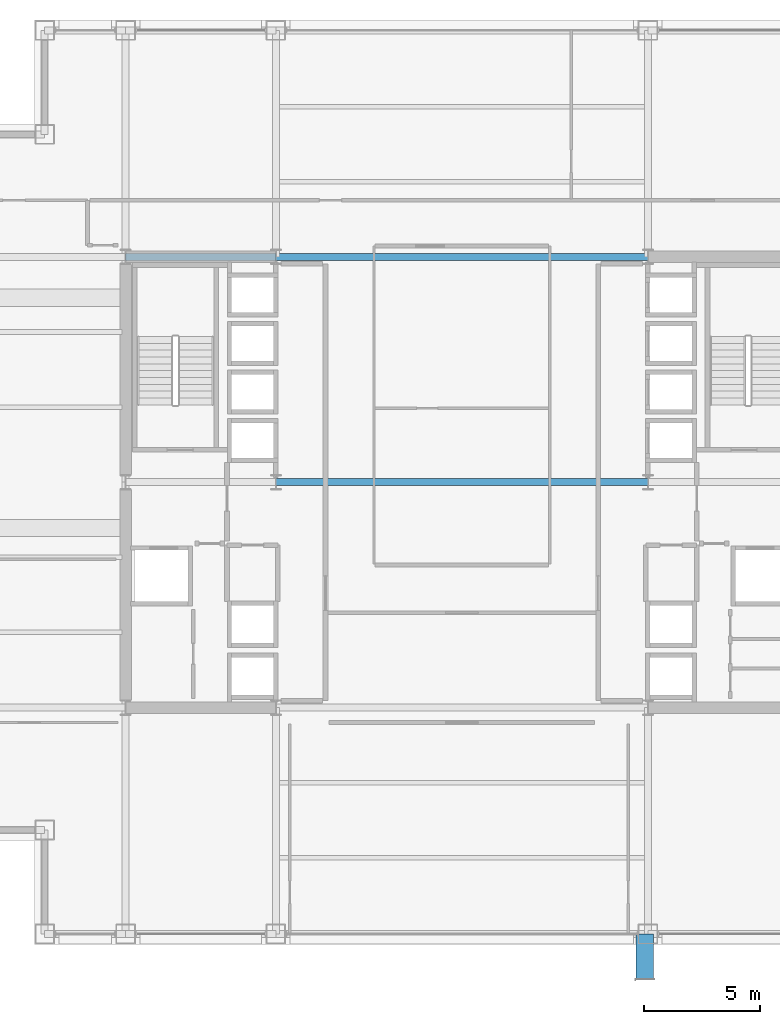
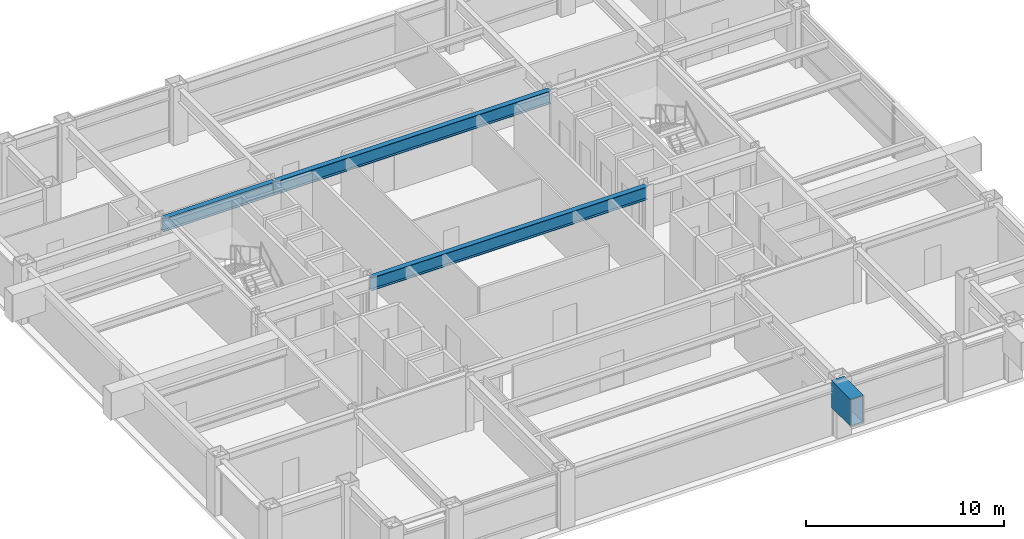
# One storey, part 9 of 28: 4 beams.
"""IFC4 building model written with IfcOpenShell, lengths in metres."""

import ifcopenshell
import ifcopenshell.guid

model = None  # the IFC model being written
_history = None  # IfcOwnerHistory: only IFC2X3 demands one
_inside = {}  # id of a spatial element -> (the spatial element, [elements in it])
_under = {}  # id of a project, library or spatial element -> (it, [spatial elements below it])
_declared = {}  # id of a project -> (the project, [libraries it declares])
_typed = {}  # id of a type object -> (the type object, [elements of that type])
_made_of = {}  # id of a material, layer set ... -> (it, [elements and type objects made of it])


def new_model(schema):
    """Start an empty IFC model of exactly this schema.

    Asked for "IFC4X3", IfcOpenShell would pick the latest addendum, in which some entities
    have other attributes; the version numbers below select the first issue.
    IFC2X3 requires an IfcOwnerHistory on every rooted entity: one is made here for all.
    """
    global model, _history
    if schema == "IFC4X3":
        model = ifcopenshell.file(schema_version=(4, 3, 0, 0))
    else:
        model = ifcopenshell.file(schema=schema)
    _inside.clear()
    _under.clear()
    _declared.clear()
    _typed.clear()
    _made_of.clear()
    _history = None
    if model.schema == "IFC2X3":
        org = make("IfcOrganization", Name="unknown")
        user = make(
            "IfcPersonAndOrganization",
            ThePerson=make("IfcPerson", FamilyName="unknown"),
            TheOrganization=org,
        )
        app = make(
            "IfcApplication",
            ApplicationDeveloper=org,
            Version="unknown",
            ApplicationFullName="unknown",
            ApplicationIdentifier="unknown",
        )
        _history = make(
            "IfcOwnerHistory",
            OwningUser=user,
            OwningApplication=app,
            ChangeAction="ADDED",
            CreationDate=0,
        )
    return model


def make(cls, **values):
    """One entity of the class cls with the attributes given. An attribute that is None is left unset."""
    return model.create_entity(
        cls, **{name: value for name, value in values.items() if value is not None}
    )


def rooted(cls, **values):
    """An entity with a GlobalId (a new one), such as an element, a storey or a relation."""
    return make(cls, GlobalId=ifcopenshell.guid.new(), OwnerHistory=_history, **values)


def si_unit(unit_type, name, prefix=None):
    """IfcSIUnit, for example si_unit("LENGTHUNIT", "METRE", prefix="MILLI")."""
    return make("IfcSIUnit", UnitType=unit_type, Prefix=prefix, Name=name)


def assignment(units):
    """IfcUnitAssignment: the units of a project."""
    return None if units is None else make("IfcUnitAssignment", Units=units)


def point(xyz):
    """IfcCartesianPoint."""
    return None if xyz is None else make("IfcCartesianPoint", Coordinates=xyz)


def direction(xyz):
    """IfcDirection."""
    return None if xyz is None else make("IfcDirection", DirectionRatios=xyz)


def frame(location, z_axis=None, x_axis=None):
    """IfcAxis2Placement3D, a coordinate frame: its origin and axes. An axis left out is left unset."""
    return make(
        "IfcAxis2Placement3D",
        Location=point(location),
        Axis=direction(z_axis),
        RefDirection=direction(x_axis),
    )


def frame_2d(location, x_axis=None):
    """IfcAxis2Placement2D, a coordinate frame in the plane: its origin and x axis."""
    return make(
        "IfcAxis2Placement2D", Location=point(location), RefDirection=direction(x_axis)
    )


def origin():
    """The frame at (0, 0, 0) with its axes left unset."""
    return frame((0.0, 0.0, 0.0))


def origin_2d():
    """The frame at (0, 0) in the plane with its x axis left unset."""
    return frame_2d((0.0, 0.0))


def place(relative_to, where):
    """IfcLocalPlacement: puts the frame where relative to a parent placement (None: the world)."""
    return make(
        "IfcLocalPlacement", PlacementRelTo=relative_to, RelativePlacement=where
    )


def context(
    kind, dimensions, precision=None, world=None, true_north=None, identifier=None
):
    """IfcGeometricRepresentationContext, for example the 3D "Model" context."""
    return make(
        "IfcGeometricRepresentationContext",
        ContextIdentifier=identifier,
        ContextType=kind,
        CoordinateSpaceDimension=dimensions,
        Precision=precision,
        WorldCoordinateSystem=world,
        TrueNorth=true_north,
    )


def subcontext(parent, identifier, kind, view, scale=None):
    """IfcGeometricRepresentationSubContext, for example "Body" below "Model"."""
    return make(
        "IfcGeometricRepresentationSubContext",
        ContextIdentifier=identifier,
        ContextType=kind,
        ParentContext=parent,
        TargetScale=scale,
        TargetView=view,
    )


def project(units=None, contexts=None):
    """IfcProject with its units and contexts."""
    return rooted(
        "IfcProject",
        Name="project",
        RepresentationContexts=contexts,
        UnitsInContext=assignment(units),
    )


def spatial(cls, under=None, at=None, **own):
    """A site, building, storey or space (cls), placed at a placement, below another one or the project."""
    s = rooted(cls, ObjectPlacement=at, **own)
    if under is not None:
        _under.setdefault(under.id(), (under, []))[1].append(s)
    return s


def profile(cls, at=None, kind="AREA", **sizes):
    """A parametric profile (cls). Its sizes go by their IFC names, for example OverallWidth=200.0."""
    return make(cls, ProfileType=kind, Position=at, **sizes)


def hollow_rectangle(**sizes):
    """IfcRectangleHollowProfileDef."""
    return profile("IfcRectangleHollowProfileDef", **sizes)


def i_section(**sizes):
    """IfcIShapeProfileDef."""
    return profile("IfcIShapeProfileDef", **sizes)


def extrude(swept, where, along, depth):
    """IfcExtrudedAreaSolid: the profile swept, set in the frame where, extruded along a direction by depth."""
    return make(
        "IfcExtrudedAreaSolid",
        SweptArea=swept,
        Position=where,
        ExtrudedDirection=direction(along),
        Depth=depth,
    )


def shape(context_of_items, identifier, shape_type, items):
    """IfcShapeRepresentation: the items that make up one representation, for example the "Body"."""
    return make(
        "IfcShapeRepresentation",
        ContextOfItems=context_of_items,
        RepresentationIdentifier=identifier,
        RepresentationType=shape_type,
        Items=items,
    )


def material(Name=None, Category=None):
    """IfcMaterial."""
    return make("IfcMaterial", Name=Name, Category=Category)


def material_profile(
    of_material, cross_section, Name=None, Category=None, Priority=None
):
    """IfcMaterialProfile: a cross section and its material."""
    return make(
        "IfcMaterialProfile",
        Name=Name,
        Material=of_material,
        Profile=cross_section,
        Priority=Priority,
        Category=Category,
    )


def profile_set(profiles, Name=None, composite=None):
    """IfcMaterialProfileSet."""
    return make(
        "IfcMaterialProfileSet",
        Name=Name,
        MaterialProfiles=profiles,
        CompositeProfile=composite,
    )


def made_of(thing, what):
    """Note that an element or type object is made of a material, layer set ...; save() writes the relation."""
    if what is not None:
        _made_of.setdefault(what.id(), (what, []))[1].append(thing)
    return thing


def type_object(cls, material=None, **own):
    """A type object (cls), such as IfcWallType, which elements share."""
    return made_of(rooted(cls, **own), material)


def element(
    cls,
    number,
    at=None,
    inside=None,
    cuts=None,
    type_object=None,
    material=None,
    context=None,
    identifier="Body",
    shape_type=None,
    held_by="IfcProductDefinitionShape",
    body=None,
    shapes=None,
    **own,
):
    """One element of the class cls, such as IfcWall. Its Tag is "e" and its number.

    at: its placement. inside: the storey or other place that contains it. cuts: it is an
    opening in that element (IfcRelVoidsElement). A single representation is given by context,
    identifier, shape_type and body (its items); several are given by shapes. held_by: the class
    of the entity that holds the representations. save() writes the other relations.
    """
    e = rooted(cls, Tag="e%d" % number, ObjectPlacement=at, **own)
    if body is not None:
        shapes = [shape(context, identifier, shape_type, body)]
    if shapes is not None:
        e.Representation = make(held_by, Representations=shapes)
    if inside is not None:
        _inside.setdefault(inside.id(), (inside, []))[1].append(e)
    if cuts is not None:
        rooted(
            "IfcRelVoidsElement", RelatingBuildingElement=cuts, RelatedOpeningElement=e
        )
    if type_object is not None:
        _typed.setdefault(type_object.id(), (type_object, []))[1].append(e)
    return made_of(e, material)


def aggregate(whole, parts):
    """IfcRelAggregates: a whole, such as a stair, and the parts it consists of."""
    return rooted("IfcRelAggregates", RelatingObject=whole, RelatedObjects=parts)


def save(model, path):
    """Write the relations noted so far, then the file.

    IfcRelAggregates (storeys below a building ...), IfcRelContainedInSpatialStructure (elements
    in a storey), IfcRelDefinesByType, IfcRelAssociatesMaterial and IfcRelDeclares: one each for
    every whole, place, type object, material and project.
    """
    for whole, parts in _under.values():
        aggregate(whole, parts)
    for where, things in _inside.values():
        rooted(
            "IfcRelContainedInSpatialStructure",
            RelatedElements=things,
            RelatingStructure=where,
        )
    for kind, things in _typed.values():
        rooted("IfcRelDefinesByType", RelatedObjects=things, RelatingType=kind)
    for what, things in _made_of.values():
        rooted("IfcRelAssociatesMaterial", RelatedObjects=things, RelatingMaterial=what)
    for by, libraries in _declared.values():
        rooted("IfcRelDeclares", RelatingContext=by, RelatedDefinitions=libraries)
    model.write(path)


model = new_model("IFC4")

# Units and contexts
model_context = context("Model", 3, precision=1e-05, world=origin(), true_north=direction((0.0, 1.0)))
body_context = subcontext(model_context, "Body", "Model", "MODEL_VIEW")
ifc_project = project(units=[si_unit("LENGTHUNIT", "METRE"), si_unit("AREAUNIT", "SQUARE_METRE"), si_unit("VOLUMEUNIT", "CUBIC_METRE"), si_unit("PLANEANGLEUNIT", "RADIAN"), si_unit("MASSUNIT", "GRAM", prefix="KILO")], contexts=[model_context])

# Site, building, storey
site_placement = place(None, origin())
site = spatial("IfcSite", under=ifc_project, at=site_placement, CompositionType="ELEMENT")
building_placement = place(site_placement, origin())
building = spatial("IfcBuilding", under=site, at=building_placement, Name="Brelmoor Portico Tower", CompositionType="ELEMENT")
storey_placement = place(building_placement, frame((0.0, 0.0, 91.800048828125)))
storey = spatial("IfcBuildingStorey", under=building, at=storey_placement, Name="L23", CompositionType="ELEMENT", Elevation=91.800048828125)

# Beams
ifc_material = material(Name="Steel Q355B", Category="steel")
ifc_material_profile_1 = material_profile(ifc_material, hollow_rectangle(XDim=0.75, YDim=1.659912109375, WallThickness=0.0419921875, at=origin_2d()), Name="BOX 750x1660x42")
ifc_profile_set_1 = profile_set([ifc_material_profile_1], Name="Steel Q355B")
beam_type_1 = type_object("IfcBeamType", Name="BM-PF-CANT", PredefinedType="BEAM", material=ifc_profile_set_1)
beam_1_placement = place(storey_placement, frame((7.919921875, -21.5, 2.570068359375), z_axis=(0.0, 1.0, 0.0), x_axis=(-1.0, 0.0, 0.0)))
element("IfcBeam", 1, at=beam_1_placement, inside=storey, type_object=beam_type_1, Name="L23 Picture-Frame Outrigger Transfer Cantilever PFB-01", PredefinedType="BEAM", context=body_context, shape_type="SweptSolid", body=[
    extrude(hollow_rectangle(XDim=0.75, YDim=1.659912109375, WallThickness=0.0419921875, at=origin_2d()), origin(), (0.0, 0.0, 1.0), 1.949951171875),
])
ifc_material_profile_2 = material_profile(ifc_material, i_section(OverallWidth=0.300048828125, OverallDepth=0.800048828125, WebThickness=0.013916015625, FlangeThickness=0.02587890625, at=origin_2d()), Name="HN 800x300x14x26")
ifc_profile_set_2 = profile_set([ifc_material_profile_2], Name="Steel Q355B")
beam_type_2 = type_object("IfcBeamType", Name="BM-PG-800", PredefinedType="BEAM", material=ifc_profile_set_2)
beam_2_placement = place(storey_placement, frame((-8.050048828125, 0.0, 3.0), z_axis=(1.0, 0.0, 0.0), x_axis=(0.0, 1.0, 0.0)))
element("IfcBeam", 2, at=beam_2_placement, inside=storey, type_object=beam_type_2, Name="L23 Primary Floor Girder PG-19", PredefinedType="BEAM", context=body_context, shape_type="SweptSolid", body=[
    extrude(i_section(OverallWidth=0.300048828125, OverallDepth=0.800048828125, WebThickness=0.013916015625, FlangeThickness=0.02587890625, at=origin_2d()), origin(), (0.0, 0.0, 1.0), 16.10009765625),
])
beam_3_placement = place(storey_placement, frame((-14.550048828125, 9.75, 3.0), z_axis=(1.0, 0.0, 0.0), x_axis=(0.0, 1.0, 0.0)))
element("IfcBeam", 3, at=beam_3_placement, inside=storey, type_object=beam_type_2, Name="L23 Primary Floor Girder PG-22", PredefinedType="BEAM", context=body_context, shape_type="SweptSolid", body=[
    extrude(i_section(OverallWidth=0.300048828125, OverallDepth=0.800048828125, WebThickness=0.013916015625, FlangeThickness=0.02587890625, at=origin_2d()), origin(), (0.0, 0.0, 1.0), 6.5),
])
beam_4_placement = place(storey_placement, frame((-8.050048828125, 9.75, 3.0), z_axis=(1.0, 0.0, 0.0), x_axis=(0.0, 1.0, 0.0)))
element("IfcBeam", 4, at=beam_4_placement, inside=storey, type_object=beam_type_2, Name="L23 Primary Floor Girder PG-23", PredefinedType="BEAM", context=body_context, shape_type="SweptSolid", body=[
    extrude(i_section(OverallWidth=0.300048828125, OverallDepth=0.800048828125, WebThickness=0.013916015625, FlangeThickness=0.02587890625, at=origin_2d()), origin(), (0.0, 0.0, 1.0), 16.10009765625),
])

save(model, "model.ifc")
